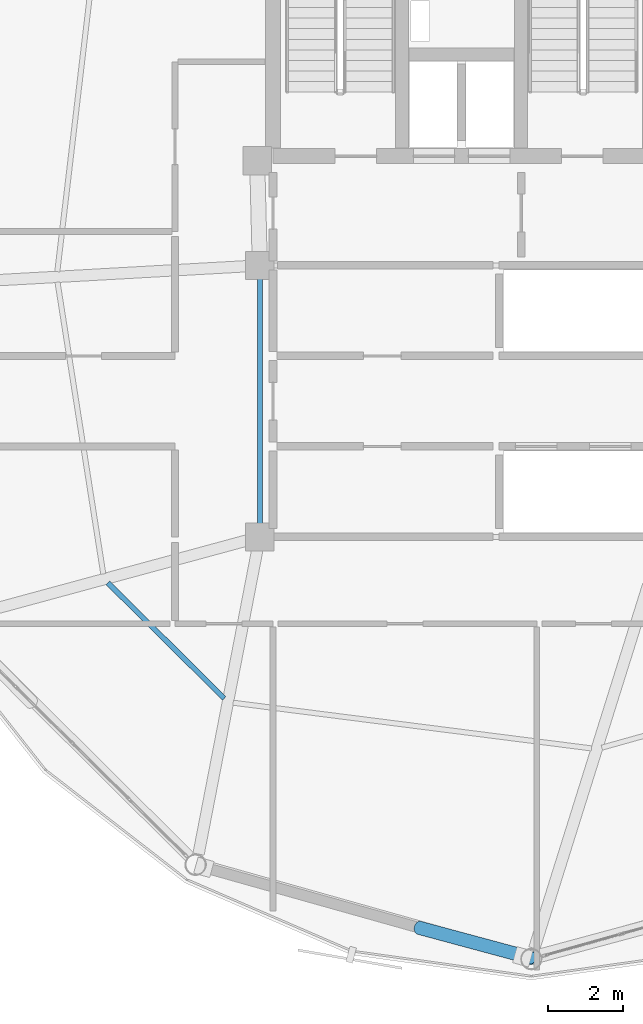
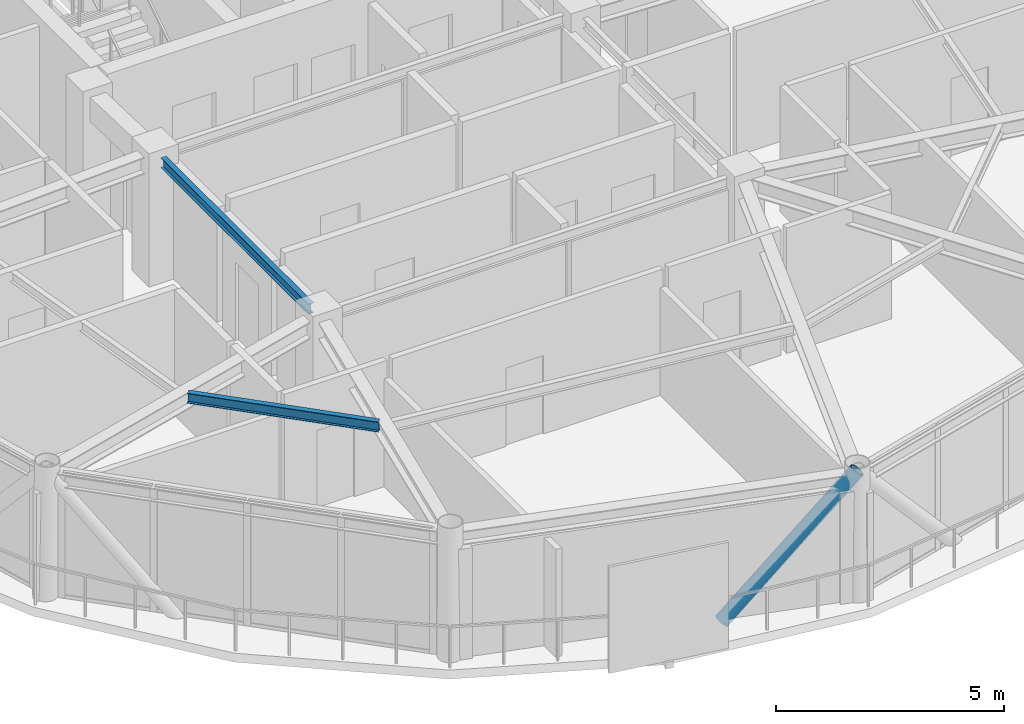
# One storey, part 5 of 25: 2 beams, 1 member.
"""IFC4 building model written with IfcOpenShell, lengths in metres."""

from ifc_helpers import new_model, si_unit, direction, frame, origin, origin_2d, place, context, subcontext, project, spatial, hollow_circle, i_section, extrude, material, material_profile, profile_set, type_object, element, save


model = new_model("IFC4")

# Units and contexts
model_context = context("Model", 3, precision=1e-05, world=origin(), true_north=direction((0.0, 1.0)))
body_context = subcontext(model_context, "Body", "Model", "MODEL_VIEW")
ifc_project = project(units=[si_unit("LENGTHUNIT", "METRE"), si_unit("AREAUNIT", "SQUARE_METRE"), si_unit("VOLUMEUNIT", "CUBIC_METRE"), si_unit("PLANEANGLEUNIT", "RADIAN"), si_unit("MASSUNIT", "GRAM", prefix="KILO")], contexts=[model_context])

# Site, building, storey
site_placement = place(None, origin())
site = spatial("IfcSite", under=ifc_project, at=site_placement, CompositionType="ELEMENT")
building_placement = place(site_placement, origin())
building = spatial("IfcBuilding", under=site, at=building_placement, Name="Varnakorn Sky Granary", CompositionType="ELEMENT")
storey_placement = place(building_placement, frame((0.0, 0.0, 277.800048828125)))
storey = spatial("IfcBuildingStorey", under=building, at=storey_placement, Name="L71", CompositionType="ELEMENT", Elevation=277.800048828125)

# Beams
ifc_material_1 = material(Name="Steel S355JR", Category="steel")
ifc_material_profile_1 = material_profile(ifc_material_1, i_section(OverallWidth=0.135009765625, OverallDepth=0.27001953125, WebThickness=0.006591796875, FlangeThickness=0.01025390625, at=origin_2d()), Name="IPE 270")
ifc_profile_set_1 = profile_set([ifc_material_profile_1], Name="Steel S355JR")
beam_type = type_object("IfcBeamType", Name="BM-SEC-Z5", PredefinedType="BEAM", material=ifc_profile_set_1)
beam_1_placement = place(storey_placement, frame((-6.38037109375, -7.818603515625, 3.224853515625), z_axis=(0.709685595622, -0.704518527341, 0.0), x_axis=(0.704518527341, 0.709685595622, 0.0)))
element("IfcBeam", 1, at=beam_1_placement, inside=storey, type_object=beam_type, Name="Secondary Floor Chord Beam MSB08 L71", PredefinedType="BEAM", context=body_context, shape_type="SweptSolid", body=[
    extrude(i_section(OverallWidth=0.135009765625, OverallDepth=0.27001953125, WebThickness=0.006591796875, FlangeThickness=0.01025390625, at=origin_2d()), origin(), (0.0, 0.0, 1.0), 4.346923828125),
])
beam_2_placement = place(storey_placement, frame((-2.35009765625, 0.2451171875, 3.224853515625), z_axis=(0.0, -1.0, 0.0), x_axis=(1.0, 0.0, 0.0)))
element("IfcBeam", 2, at=beam_2_placement, inside=storey, type_object=beam_type, Name="Core Spine Framing Beam 3 L71", PredefinedType="BEAM", context=body_context, shape_type="SweptSolid", body=[
    extrude(i_section(OverallWidth=0.135009765625, OverallDepth=0.27001953125, WebThickness=0.006591796875, FlangeThickness=0.01025390625, at=origin_2d()), origin(), (0.0, 0.0, 1.0), 6.490234375),
])

# Member
ifc_material_2 = material(Name="Steel S460M", Category="steel")
ifc_material_profile_2 = material_profile(ifc_material_2, hollow_circle(Radius=0.177734375, WallThickness=0.01416015625, at=origin_2d()), Name="CHS 355.6x14")
ifc_profile_set_2 = profile_set([ifc_material_profile_2], Name="Steel S460M")
member_type = type_object("IfcMemberType", Name="MB-DIAG-T5", PredefinedType="BRACE", material=ifc_profile_set_2)
member_placement = place(storey_placement, frame((1.88037109375, -16.968017578125, -0.130126953125), z_axis=(0.638401646436, -0.171986369235, 0.750242645166), x_axis=(0.260127192999, 0.965574359365, 0.0)))
element("IfcMember", 3, at=member_placement, inside=storey, type_object=member_type, Name="Perimeter CHS Diagrid Brace DG09 L71", PredefinedType="BRACE", context=body_context, shape_type="SweptSolid", body=[
    extrude(hollow_circle(Radius=0.177734375, WallThickness=0.01416015625, at=origin_2d()), origin(), (0.0, 0.0, 1.0), 4.65185546875),
])

save(model, "model.ifc")
